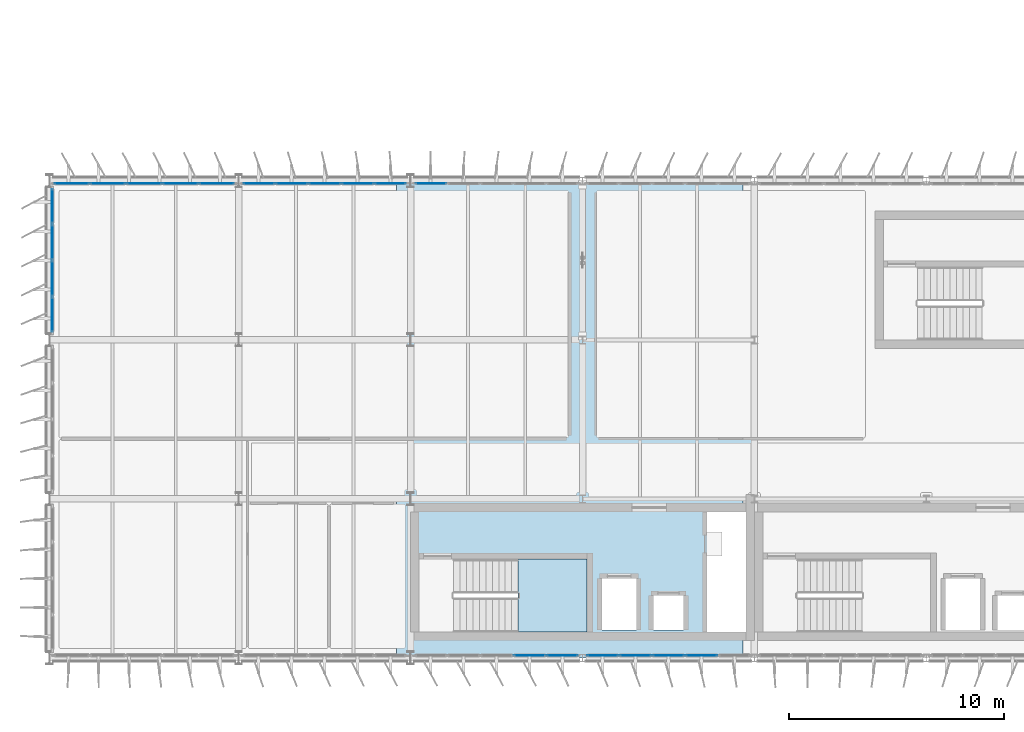
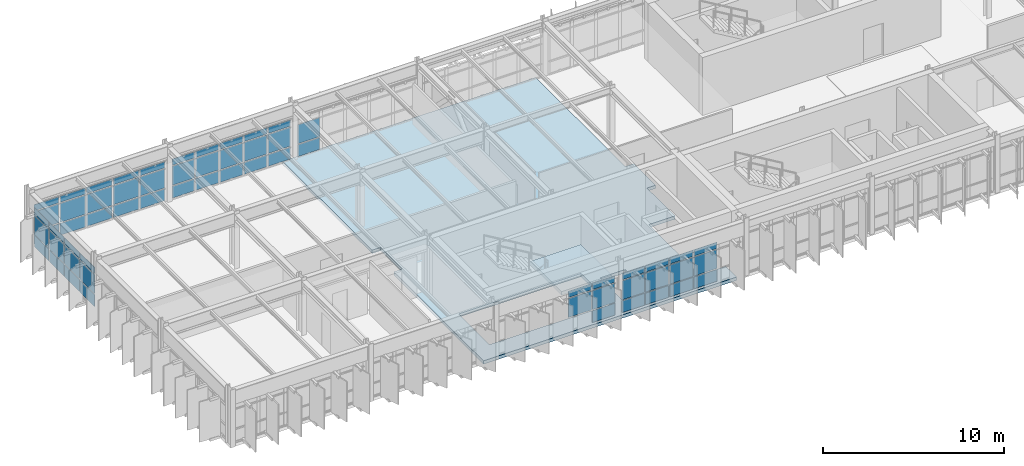
# One storey, part 24 of 45: 61 plates, 2 slabs, 7 elements without a shape of their own.
"""IFC4 building model written with IfcOpenShell, lengths in metres."""

import ifcopenshell
import ifcopenshell.guid

model = None  # the IFC model being written
_history = None  # IfcOwnerHistory: only IFC2X3 demands one
_inside = {}  # id of a spatial element -> (the spatial element, [elements in it])
_under = {}  # id of a project, library or spatial element -> (it, [spatial elements below it])
_declared = {}  # id of a project -> (the project, [libraries it declares])
_typed = {}  # id of a type object -> (the type object, [elements of that type])
_made_of = {}  # id of a material, layer set ... -> (it, [elements and type objects made of it])


def new_model(schema):
    """Start an empty IFC model of exactly this schema.

    Asked for "IFC4X3", IfcOpenShell would pick the latest addendum, in which some entities
    have other attributes; the version numbers below select the first issue.
    IFC2X3 requires an IfcOwnerHistory on every rooted entity: one is made here for all.
    """
    global model, _history
    if schema == "IFC4X3":
        model = ifcopenshell.file(schema_version=(4, 3, 0, 0))
    else:
        model = ifcopenshell.file(schema=schema)
    _inside.clear()
    _under.clear()
    _declared.clear()
    _typed.clear()
    _made_of.clear()
    _history = None
    if model.schema == "IFC2X3":
        org = make("IfcOrganization", Name="unknown")
        user = make(
            "IfcPersonAndOrganization",
            ThePerson=make("IfcPerson", FamilyName="unknown"),
            TheOrganization=org,
        )
        app = make(
            "IfcApplication",
            ApplicationDeveloper=org,
            Version="unknown",
            ApplicationFullName="unknown",
            ApplicationIdentifier="unknown",
        )
        _history = make(
            "IfcOwnerHistory",
            OwningUser=user,
            OwningApplication=app,
            ChangeAction="ADDED",
            CreationDate=0,
        )
    return model


def make(cls, **values):
    """One entity of the class cls with the attributes given. An attribute that is None is left unset."""
    return model.create_entity(
        cls, **{name: value for name, value in values.items() if value is not None}
    )


def rooted(cls, **values):
    """An entity with a GlobalId (a new one), such as an element, a storey or a relation."""
    return make(cls, GlobalId=ifcopenshell.guid.new(), OwnerHistory=_history, **values)


def si_unit(unit_type, name, prefix=None):
    """IfcSIUnit, for example si_unit("LENGTHUNIT", "METRE", prefix="MILLI")."""
    return make("IfcSIUnit", UnitType=unit_type, Prefix=prefix, Name=name)


def assignment(units):
    """IfcUnitAssignment: the units of a project."""
    return None if units is None else make("IfcUnitAssignment", Units=units)


def point(xyz):
    """IfcCartesianPoint."""
    return None if xyz is None else make("IfcCartesianPoint", Coordinates=xyz)


def direction(xyz):
    """IfcDirection."""
    return None if xyz is None else make("IfcDirection", DirectionRatios=xyz)


def frame(location, z_axis=None, x_axis=None):
    """IfcAxis2Placement3D, a coordinate frame: its origin and axes. An axis left out is left unset."""
    return make(
        "IfcAxis2Placement3D",
        Location=point(location),
        Axis=direction(z_axis),
        RefDirection=direction(x_axis),
    )


def frame_2d(location, x_axis=None):
    """IfcAxis2Placement2D, a coordinate frame in the plane: its origin and x axis."""
    return make(
        "IfcAxis2Placement2D", Location=point(location), RefDirection=direction(x_axis)
    )


def origin():
    """The frame at (0, 0, 0) with its axes left unset."""
    return frame((0.0, 0.0, 0.0))


def origin_2d():
    """The frame at (0, 0) in the plane with its x axis left unset."""
    return frame_2d((0.0, 0.0))


def place(relative_to, where):
    """IfcLocalPlacement: puts the frame where relative to a parent placement (None: the world)."""
    return make(
        "IfcLocalPlacement", PlacementRelTo=relative_to, RelativePlacement=where
    )


def context(
    kind, dimensions, precision=None, world=None, true_north=None, identifier=None
):
    """IfcGeometricRepresentationContext, for example the 3D "Model" context."""
    return make(
        "IfcGeometricRepresentationContext",
        ContextIdentifier=identifier,
        ContextType=kind,
        CoordinateSpaceDimension=dimensions,
        Precision=precision,
        WorldCoordinateSystem=world,
        TrueNorth=true_north,
    )


def subcontext(parent, identifier, kind, view, scale=None):
    """IfcGeometricRepresentationSubContext, for example "Body" below "Model"."""
    return make(
        "IfcGeometricRepresentationSubContext",
        ContextIdentifier=identifier,
        ContextType=kind,
        ParentContext=parent,
        TargetScale=scale,
        TargetView=view,
    )


def project(units=None, contexts=None):
    """IfcProject with its units and contexts."""
    return rooted(
        "IfcProject",
        Name="project",
        RepresentationContexts=contexts,
        UnitsInContext=assignment(units),
    )


def spatial(cls, under=None, at=None, **own):
    """A site, building, storey or space (cls), placed at a placement, below another one or the project."""
    s = rooted(cls, ObjectPlacement=at, **own)
    if under is not None:
        _under.setdefault(under.id(), (under, []))[1].append(s)
    return s


def polyline(points):
    """IfcPolyline through the points."""
    return make("IfcPolyline", Points=[point(p) for p in points])


def profile(cls, at=None, kind="AREA", **sizes):
    """A parametric profile (cls). Its sizes go by their IFC names, for example OverallWidth=200.0."""
    return make(cls, ProfileType=kind, Position=at, **sizes)


def rectangle(**sizes):
    """IfcRectangleProfileDef."""
    return profile("IfcRectangleProfileDef", **sizes)


def outline(outer, holes=None, kind="AREA"):
    """IfcArbitraryClosedProfileDef: a profile drawn as a closed curve; with holes, ...WithVoids."""
    if holes is None:
        return make("IfcArbitraryClosedProfileDef", ProfileType=kind, OuterCurve=outer)
    return make(
        "IfcArbitraryProfileDefWithVoids",
        ProfileType=kind,
        OuterCurve=outer,
        InnerCurves=holes,
    )


def extrude(swept, where, along, depth):
    """IfcExtrudedAreaSolid: the profile swept, set in the frame where, extruded along a direction by depth."""
    return make(
        "IfcExtrudedAreaSolid",
        SweptArea=swept,
        Position=where,
        ExtrudedDirection=direction(along),
        Depth=depth,
    )


def shape(context_of_items, identifier, shape_type, items):
    """IfcShapeRepresentation: the items that make up one representation, for example the "Body"."""
    return make(
        "IfcShapeRepresentation",
        ContextOfItems=context_of_items,
        RepresentationIdentifier=identifier,
        RepresentationType=shape_type,
        Items=items,
    )


def material(Name=None, Category=None):
    """IfcMaterial."""
    return make("IfcMaterial", Name=Name, Category=Category)


def layer(
    of_material, thickness, ventilated=None, Name=None, Category=None, Priority=None
):
    """IfcMaterialLayer: one layer of a wall or slab, of a material (None: an air gap)."""
    return make(
        "IfcMaterialLayer",
        Material=of_material,
        LayerThickness=thickness,
        IsVentilated=ventilated,
        Name=Name,
        Category=Category,
        Priority=Priority,
    )


def layer_set(layers, Name=None):
    """IfcMaterialLayerSet."""
    return make("IfcMaterialLayerSet", MaterialLayers=layers, LayerSetName=Name)


def made_of(thing, what):
    """Note that an element or type object is made of a material, layer set ...; save() writes the relation."""
    if what is not None:
        _made_of.setdefault(what.id(), (what, []))[1].append(thing)
    return thing


def type_object(cls, material=None, **own):
    """A type object (cls), such as IfcWallType, which elements share."""
    return made_of(rooted(cls, **own), material)


def element(
    cls,
    number,
    at=None,
    inside=None,
    cuts=None,
    type_object=None,
    material=None,
    context=None,
    identifier="Body",
    shape_type=None,
    held_by="IfcProductDefinitionShape",
    body=None,
    shapes=None,
    **own,
):
    """One element of the class cls, such as IfcWall. Its Tag is "e" and its number.

    at: its placement. inside: the storey or other place that contains it. cuts: it is an
    opening in that element (IfcRelVoidsElement). A single representation is given by context,
    identifier, shape_type and body (its items); several are given by shapes. held_by: the class
    of the entity that holds the representations. save() writes the other relations.
    """
    e = rooted(cls, Tag="e%d" % number, ObjectPlacement=at, **own)
    if body is not None:
        shapes = [shape(context, identifier, shape_type, body)]
    if shapes is not None:
        e.Representation = make(held_by, Representations=shapes)
    if inside is not None:
        _inside.setdefault(inside.id(), (inside, []))[1].append(e)
    if cuts is not None:
        rooted(
            "IfcRelVoidsElement", RelatingBuildingElement=cuts, RelatedOpeningElement=e
        )
    if type_object is not None:
        _typed.setdefault(type_object.id(), (type_object, []))[1].append(e)
    return made_of(e, material)


def aggregate(whole, parts):
    """IfcRelAggregates: a whole, such as a stair, and the parts it consists of."""
    return rooted("IfcRelAggregates", RelatingObject=whole, RelatedObjects=parts)


def save(model, path):
    """Write the relations noted so far, then the file.

    IfcRelAggregates (storeys below a building ...), IfcRelContainedInSpatialStructure (elements
    in a storey), IfcRelDefinesByType, IfcRelAssociatesMaterial and IfcRelDeclares: one each for
    every whole, place, type object, material and project.
    """
    for whole, parts in _under.values():
        aggregate(whole, parts)
    for where, things in _inside.values():
        rooted(
            "IfcRelContainedInSpatialStructure",
            RelatedElements=things,
            RelatingStructure=where,
        )
    for kind, things in _typed.values():
        rooted("IfcRelDefinesByType", RelatedObjects=things, RelatingType=kind)
    for what, things in _made_of.values():
        rooted("IfcRelAssociatesMaterial", RelatedObjects=things, RelatingMaterial=what)
    for by, libraries in _declared.values():
        rooted("IfcRelDeclares", RelatingContext=by, RelatedDefinitions=libraries)
    model.write(path)


model = new_model("IFC4")

# Units and contexts
model_context = context("Model", 3, precision=1e-05, world=origin(), true_north=direction((0.0, 1.0)))
body_context = subcontext(model_context, "Body", "Model", "MODEL_VIEW")
ifc_project = project(units=[si_unit("LENGTHUNIT", "METRE"), si_unit("AREAUNIT", "SQUARE_METRE"), si_unit("VOLUMEUNIT", "CUBIC_METRE"), si_unit("PLANEANGLEUNIT", "RADIAN"), si_unit("MASSUNIT", "GRAM", prefix="KILO")], contexts=[model_context])

# Site, building, storey
site_placement = place(None, origin())
site = spatial("IfcSite", under=ifc_project, at=site_placement, CompositionType="ELEMENT")
building_placement = place(site_placement, origin())
building = spatial("IfcBuilding", under=site, at=building_placement, Name="Valkorina Park Police Headquarters", CompositionType="ELEMENT")
storey_placement = place(building_placement, frame((0.0, 0.0, 23.300048828125)))
storey = spatial("IfcBuildingStorey", under=building, at=storey_placement, Name="L06", CompositionType="ELEMENT", Elevation=23.300048828125)

# Curtain wall, plates
ifc_material_1 = material(Name="Thermally broken aluminium AW-6060", Category="aluminium")
ifc_layer_1 = layer(ifc_material_1, 0.18994140625)
ifc_layer_set_1 = layer_set([ifc_layer_1], Name="Thermally broken aluminium AW-6060")
curtain_wall_type_1 = type_object("IfcCurtainWallType", Name="CW-V5-6780x2770", PredefinedType="NOTDEFINED", material=ifc_layer_set_1)
curtain_wall_1_placement = place(storey_placement, origin())
curtain_wall_1 = element("IfcCurtainWall", 1, at=curtain_wall_1_placement, inside=storey, type_object=curtain_wall_type_1, Name="L06 Unitised Curtain Wall 099", PredefinedType="NOTDEFINED")
ifc_layer_2 = layer(ifc_material_1, 0.050048828125)
ifc_layer_set_2 = layer_set([ifc_layer_2], Name="Thermally broken aluminium AW-6060")
plate_type_1 = type_object("IfcPlateType", Name="PL-CWP-SPANDREL-50", PredefinedType="CURTAIN_PANEL", material=ifc_layer_set_2)
plate_1_placement = place(storey_placement, frame((0.1201171875, 52.97509765625, 0.070068359375), z_axis=(0.0, 0.0, 1.0), x_axis=(0.0, 1.0, 0.0)))
plate_1 = element("IfcPlate", 2, at=plate_1_placement, type_object=plate_type_1, Name="CW-V5-678-277 panel 1.1", PredefinedType="CURTAIN_PANEL", context=body_context, shape_type="SweptSolid", body=[
    extrude(rectangle(XDim=1.590087890625, YDim=0.028076171875, at=origin_2d()), origin(), (0.0, 0.0, 1.0), 0.794921875),
])
plate_2_placement = place(storey_placement, frame((0.1201171875, 54.652587890625, 0.070068359375), z_axis=(0.0, 0.0, 1.0), x_axis=(0.0, 1.0, 0.0)))
plate_2 = element("IfcPlate", 3, at=plate_2_placement, type_object=plate_type_1, Name="CW-V5-678-277 panel 2.1", PredefinedType="CURTAIN_PANEL", context=body_context, shape_type="SweptSolid", body=[
    extrude(rectangle(XDim=1.625, YDim=0.028076171875, at=origin_2d()), origin(), (0.0, 0.0, 1.0), 0.794921875),
])
plate_3_placement = place(storey_placement, frame((0.1201171875, 56.347412109375, 0.070068359375), z_axis=(0.0, 0.0, 1.0), x_axis=(0.0, 1.0, 0.0)))
plate_3 = element("IfcPlate", 4, at=plate_3_placement, type_object=plate_type_1, Name="CW-V5-678-277 panel 3.1", PredefinedType="CURTAIN_PANEL", context=body_context, shape_type="SweptSolid", body=[
    extrude(rectangle(XDim=1.625, YDim=0.028076171875, at=origin_2d()), origin(), (0.0, 0.0, 1.0), 0.794921875),
])
plate_4_placement = place(storey_placement, frame((0.1201171875, 58.02490234375, 0.070068359375), z_axis=(0.0, 0.0, 1.0), x_axis=(0.0, 1.0, 0.0)))
plate_4 = element("IfcPlate", 5, at=plate_4_placement, type_object=plate_type_1, Name="CW-V5-678-277 panel 4.1", PredefinedType="CURTAIN_PANEL", context=body_context, shape_type="SweptSolid", body=[
    extrude(rectangle(XDim=1.590087890625, YDim=0.028076171875, at=origin_2d()), origin(), (0.0, 0.0, 1.0), 0.794921875),
])

ifc_layer_3 = layer(ifc_material_1, 0.18994140625)
ifc_layer_set_3 = layer_set([ifc_layer_3], Name="Thermally broken aluminium AW-6060")
curtain_wall_type_2 = type_object("IfcCurtainWallType", Name="CW-V5-8480x2770", PredefinedType="NOTDEFINED", material=ifc_layer_set_3)
curtain_wall_2_placement = place(storey_placement, origin())
curtain_wall_2 = element("IfcCurtainWall", 6, at=curtain_wall_2_placement, inside=storey, type_object=curtain_wall_type_2, Name="L06 Unitised Curtain Wall 100", PredefinedType="NOTDEFINED")
plate_5_placement = place(storey_placement, frame((1.025390625, 59.080078125, 0.070068359375), z_axis=(0.0, 0.0, 1.0), x_axis=(1.0, 0.0, 0.0)))
plate_5 = element("IfcPlate", 7, at=plate_5_placement, type_object=plate_type_1, Name="CW-V5-848-277 panel 1.1", PredefinedType="CURTAIN_PANEL", context=body_context, shape_type="SweptSolid", body=[
    extrude(rectangle(XDim=1.591064453125, YDim=0.028076171875, at=origin_2d()), origin(), (0.0, 0.0, 1.0), 0.794921875),
])
plate_6_placement = place(storey_placement, frame((2.7041015625, 59.080078125, 0.070068359375), z_axis=(0.0, 0.0, 1.0), x_axis=(1.0, 0.0, 0.0)))
plate_6 = element("IfcPlate", 8, at=plate_6_placement, type_object=plate_type_1, Name="CW-V5-848-277 panel 2.1", PredefinedType="CURTAIN_PANEL", context=body_context, shape_type="SweptSolid", body=[
    extrude(rectangle(XDim=1.6259765625, YDim=0.028076171875, at=origin_2d()), origin(), (0.0, 0.0, 1.0), 0.794921875),
])
plate_7_placement = place(storey_placement, frame((4.39990234375, 59.080078125, 0.070068359375), z_axis=(0.0, 0.0, 1.0), x_axis=(1.0, 0.0, 0.0)))
plate_7 = element("IfcPlate", 9, at=plate_7_placement, type_object=plate_type_1, Name="CW-V5-848-277 panel 3.1", PredefinedType="CURTAIN_PANEL", context=body_context, shape_type="SweptSolid", body=[
    extrude(rectangle(XDim=1.6259765625, YDim=0.028076171875, at=origin_2d()), origin(), (0.0, 0.0, 1.0), 0.794921875),
])
plate_8_placement = place(storey_placement, frame((6.095947265625, 59.080078125, 0.070068359375), z_axis=(0.0, 0.0, 1.0), x_axis=(1.0, 0.0, 0.0)))
plate_8 = element("IfcPlate", 10, at=plate_8_placement, type_object=plate_type_1, Name="CW-V5-848-277 panel 4.1", PredefinedType="CURTAIN_PANEL", context=body_context, shape_type="SweptSolid", body=[
    extrude(rectangle(XDim=1.6259765625, YDim=0.028076171875, at=origin_2d()), origin(), (0.0, 0.0, 1.0), 0.794921875),
])
plate_9_placement = place(storey_placement, frame((7.7744140625, 59.080078125, 0.070068359375), z_axis=(0.0, 0.0, 1.0), x_axis=(1.0, 0.0, 0.0)))
plate_9 = element("IfcPlate", 11, at=plate_9_placement, type_object=plate_type_1, Name="CW-V5-848-277 panel 5.1", PredefinedType="CURTAIN_PANEL", context=body_context, shape_type="SweptSolid", body=[
    extrude(rectangle(XDim=1.591064453125, YDim=0.028076171875, at=origin_2d()), origin(), (0.0, 0.0, 1.0), 0.794921875),
])

ifc_layer_4 = layer(ifc_material_1, 0.18994140625)
ifc_layer_set_4 = layer_set([ifc_layer_4], Name="Thermally broken aluminium AW-6060")
curtain_wall_type_3 = type_object("IfcCurtainWallType", Name="CW-V5-7680x2770", PredefinedType="NOTDEFINED", material=ifc_layer_set_4)
curtain_wall_3_placement = place(storey_placement, origin())
curtain_wall_3 = element("IfcCurtainWall", 12, at=curtain_wall_3_placement, inside=storey, type_object=curtain_wall_type_3, Name="L06 Unitised Curtain Wall 101", PredefinedType="NOTDEFINED")
plate_10_placement = place(storey_placement, frame((9.74560546875, 59.080078125, 0.070068359375), z_axis=(0.0, 0.0, 1.0), x_axis=(1.0, 0.0, 0.0)))
plate_10 = element("IfcPlate", 13, at=plate_10_placement, type_object=plate_type_1, Name="CW-V5-768-277 panel 1.1", PredefinedType="CURTAIN_PANEL", context=body_context, shape_type="SweptSolid", body=[
    extrude(rectangle(XDim=1.430908203125, YDim=0.028076171875, at=origin_2d()), origin(), (0.0, 0.0, 1.0), 0.794921875),
])
plate_11_placement = place(storey_placement, frame((11.263916015625, 59.080078125, 0.070068359375), z_axis=(0.0, 0.0, 1.0), x_axis=(1.0, 0.0, 0.0)))
plate_11 = element("IfcPlate", 14, at=plate_11_placement, type_object=plate_type_1, Name="CW-V5-768-277 panel 2.1", PredefinedType="CURTAIN_PANEL", context=body_context, shape_type="SweptSolid", body=[
    extrude(rectangle(XDim=1.466064453125, YDim=0.028076171875, at=origin_2d()), origin(), (0.0, 0.0, 1.0), 0.794921875),
])
plate_12_placement = place(storey_placement, frame((12.800048828125, 59.080078125, 0.070068359375), z_axis=(0.0, 0.0, 1.0), x_axis=(1.0, 0.0, 0.0)))
plate_12 = element("IfcPlate", 15, at=plate_12_placement, type_object=plate_type_1, Name="CW-V5-768-277 panel 3.1", PredefinedType="CURTAIN_PANEL", context=body_context, shape_type="SweptSolid", body=[
    extrude(rectangle(XDim=1.466064453125, YDim=0.028076171875, at=origin_2d()), origin(), (0.0, 0.0, 1.0), 0.794921875),
])
plate_13_placement = place(storey_placement, frame((14.3359375, 59.080078125, 0.070068359375), z_axis=(0.0, 0.0, 1.0), x_axis=(1.0, 0.0, 0.0)))
plate_13 = element("IfcPlate", 16, at=plate_13_placement, type_object=plate_type_1, Name="CW-V5-768-277 panel 4.1", PredefinedType="CURTAIN_PANEL", context=body_context, shape_type="SweptSolid", body=[
    extrude(rectangle(XDim=1.466064453125, YDim=0.028076171875, at=origin_2d()), origin(), (0.0, 0.0, 1.0), 0.794921875),
])
plate_14_placement = place(storey_placement, frame((15.8544921875, 59.080078125, 0.070068359375), z_axis=(0.0, 0.0, 1.0), x_axis=(1.0, 0.0, 0.0)))
plate_14 = element("IfcPlate", 17, at=plate_14_placement, type_object=plate_type_1, Name="CW-V5-768-277 panel 5.1", PredefinedType="CURTAIN_PANEL", context=body_context, shape_type="SweptSolid", body=[
    extrude(rectangle(XDim=1.430908203125, YDim=0.028076171875, at=origin_2d()), origin(), (0.0, 0.0, 1.0), 0.794921875),
])

# Curtain wall, plate
curtain_wall_4_placement = place(storey_placement, origin())
curtain_wall_4 = element("IfcCurtainWall", 18, at=curtain_wall_4_placement, inside=storey, type_object=curtain_wall_type_3, Name="L06 Unitised Curtain Wall 102", PredefinedType="NOTDEFINED")
plate_15_placement = place(storey_placement, frame((17.74560546875, 59.080078125, 0.070068359375), z_axis=(0.0, 0.0, 1.0), x_axis=(1.0, 0.0, 0.0)))
plate_15 = element("IfcPlate", 19, at=plate_15_placement, type_object=plate_type_1, Name="CW-V5-768-277 panel 1.1", PredefinedType="CURTAIN_PANEL", context=body_context, shape_type="SweptSolid", body=[
    extrude(rectangle(XDim=1.430908203125, YDim=0.028076171875, at=origin_2d()), origin(), (0.0, 0.0, 1.0), 0.794921875),
])

# Curtain wall, plates
curtain_wall_5_placement = place(storey_placement, origin())
curtain_wall_5 = element("IfcCurtainWall", 20, at=curtain_wall_5_placement, inside=storey, type_object=curtain_wall_type_3, Name="L06 Unitised Curtain Wall 129", PredefinedType="NOTDEFINED")
plate_16_placement = place(storey_placement, frame((30.3359375, 37.1201171875, 0.070068359375), z_axis=(0.0, 0.0, 1.0), x_axis=(-1.0, 0.0, 0.0)))
plate_16 = element("IfcPlate", 21, at=plate_16_placement, type_object=plate_type_1, Name="CW-V5-768-277 panel 2.1", PredefinedType="CURTAIN_PANEL", context=body_context, shape_type="SweptSolid", body=[
    extrude(rectangle(XDim=1.466064453125, YDim=0.028076171875, at=origin_2d()), origin(), (0.0, 0.0, 1.0), 0.794921875),
])
plate_17_placement = place(storey_placement, frame((28.800048828125, 37.1201171875, 0.070068359375), z_axis=(0.0, 0.0, 1.0), x_axis=(-1.0, 0.0, 0.0)))
plate_17 = element("IfcPlate", 22, at=plate_17_placement, type_object=plate_type_1, Name="CW-V5-768-277 panel 3.1", PredefinedType="CURTAIN_PANEL", context=body_context, shape_type="SweptSolid", body=[
    extrude(rectangle(XDim=1.466064453125, YDim=0.028076171875, at=origin_2d()), origin(), (0.0, 0.0, 1.0), 0.794921875),
])
plate_18_placement = place(storey_placement, frame((27.263916015625, 37.1201171875, 0.070068359375), z_axis=(0.0, 0.0, 1.0), x_axis=(-1.0, 0.0, 0.0)))
plate_18 = element("IfcPlate", 23, at=plate_18_placement, type_object=plate_type_1, Name="CW-V5-768-277 panel 4.1", PredefinedType="CURTAIN_PANEL", context=body_context, shape_type="SweptSolid", body=[
    extrude(rectangle(XDim=1.466064453125, YDim=0.028076171875, at=origin_2d()), origin(), (0.0, 0.0, 1.0), 0.794921875),
])
plate_19_placement = place(storey_placement, frame((25.74560546875, 37.1201171875, 0.070068359375), z_axis=(0.0, 0.0, 1.0), x_axis=(-1.0, 0.0, 0.0)))
plate_19 = element("IfcPlate", 24, at=plate_19_placement, type_object=plate_type_1, Name="CW-V5-768-277 panel 5.1", PredefinedType="CURTAIN_PANEL", context=body_context, shape_type="SweptSolid", body=[
    extrude(rectangle(XDim=1.430908203125, YDim=0.028076171875, at=origin_2d()), origin(), (0.0, 0.0, 1.0), 0.794921875),
])

# Curtain wall, plate
curtain_wall_6_placement = place(storey_placement, origin())
curtain_wall_6 = element("IfcCurtainWall", 25, at=curtain_wall_6_placement, inside=storey, type_object=curtain_wall_type_3, Name="L06 Unitised Curtain Wall 130", PredefinedType="NOTDEFINED")
plate_20_placement = place(storey_placement, frame((23.8544921875, 37.1201171875, 0.070068359375), z_axis=(0.0, 0.0, 1.0), x_axis=(-1.0, 0.0, 0.0)))
plate_20 = element("IfcPlate", 26, at=plate_20_placement, type_object=plate_type_1, Name="CW-V5-768-277 panel 1.1", PredefinedType="CURTAIN_PANEL", context=body_context, shape_type="SweptSolid", body=[
    extrude(rectangle(XDim=1.430908203125, YDim=0.028076171875, at=origin_2d()), origin(), (0.0, 0.0, 1.0), 0.794921875),
])

# Plate
ifc_material_2 = material(Name="Triple low-E insulated glazing", Category="glass")
ifc_layer_5 = layer(ifc_material_2, 0.028076171875)
ifc_layer_set_5 = layer_set([ifc_layer_5], Name="Triple low-E insulated glazing")
plate_type_2 = type_object("IfcPlateType", Name="PL-CWP-VISION-28", PredefinedType="CURTAIN_PANEL", material=ifc_layer_set_5)
plate_21_placement = place(storey_placement, frame((0.1201171875, 52.97509765625, 0.93505859375), z_axis=(0.0, 0.0, 1.0), x_axis=(0.0, 1.0, 0.0)))
plate_21 = element("IfcPlate", 27, at=plate_21_placement, type_object=plate_type_2, Name="CW-V5-678-277 panel 1.2", PredefinedType="CURTAIN_PANEL", context=body_context, shape_type="SweptSolid", body=[
    extrude(rectangle(XDim=1.590087890625, YDim=0.028076171875, at=origin_2d()), origin(), (0.0, 0.0, 1.0), 1.280029296875),
])

plate_22_placement = place(storey_placement, frame((0.1201171875, 52.97509765625, 2.284912109375), z_axis=(0.0, 0.0, 1.0), x_axis=(0.0, 1.0, 0.0)))
plate_22 = element("IfcPlate", 28, at=plate_22_placement, type_object=plate_type_2, Name="CW-V5-678-277 panel 1.3", PredefinedType="CURTAIN_PANEL", context=body_context, shape_type="SweptSolid", body=[
    extrude(rectangle(XDim=1.590087890625, YDim=0.028076171875, at=origin_2d()), origin(), (0.0, 0.0, 1.0), 0.4150390625),
])

plate_23_placement = place(storey_placement, frame((0.1201171875, 54.652587890625, 0.93505859375), z_axis=(0.0, 0.0, 1.0), x_axis=(0.0, 1.0, 0.0)))
plate_23 = element("IfcPlate", 29, at=plate_23_placement, type_object=plate_type_2, Name="CW-V5-678-277 panel 2.2", PredefinedType="CURTAIN_PANEL", context=body_context, shape_type="SweptSolid", body=[
    extrude(rectangle(XDim=1.625, YDim=0.028076171875, at=origin_2d()), origin(), (0.0, 0.0, 1.0), 1.280029296875),
])

plate_24_placement = place(storey_placement, frame((0.1201171875, 54.652587890625, 2.284912109375), z_axis=(0.0, 0.0, 1.0), x_axis=(0.0, 1.0, 0.0)))
plate_24 = element("IfcPlate", 30, at=plate_24_placement, type_object=plate_type_2, Name="CW-V5-678-277 panel 2.3", PredefinedType="CURTAIN_PANEL", context=body_context, shape_type="SweptSolid", body=[
    extrude(rectangle(XDim=1.625, YDim=0.028076171875, at=origin_2d()), origin(), (0.0, 0.0, 1.0), 0.4150390625),
])

plate_25_placement = place(storey_placement, frame((0.1201171875, 56.347412109375, 0.93505859375), z_axis=(0.0, 0.0, 1.0), x_axis=(0.0, 1.0, 0.0)))
plate_25 = element("IfcPlate", 31, at=plate_25_placement, type_object=plate_type_2, Name="CW-V5-678-277 panel 3.2", PredefinedType="CURTAIN_PANEL", context=body_context, shape_type="SweptSolid", body=[
    extrude(rectangle(XDim=1.625, YDim=0.028076171875, at=origin_2d()), origin(), (0.0, 0.0, 1.0), 1.280029296875),
])

plate_26_placement = place(storey_placement, frame((0.1201171875, 56.347412109375, 2.284912109375), z_axis=(0.0, 0.0, 1.0), x_axis=(0.0, 1.0, 0.0)))
plate_26 = element("IfcPlate", 32, at=plate_26_placement, type_object=plate_type_2, Name="CW-V5-678-277 panel 3.3", PredefinedType="CURTAIN_PANEL", context=body_context, shape_type="SweptSolid", body=[
    extrude(rectangle(XDim=1.625, YDim=0.028076171875, at=origin_2d()), origin(), (0.0, 0.0, 1.0), 0.4150390625),
])

plate_27_placement = place(storey_placement, frame((0.1201171875, 58.02490234375, 0.93505859375), z_axis=(0.0, 0.0, 1.0), x_axis=(0.0, 1.0, 0.0)))
plate_27 = element("IfcPlate", 33, at=plate_27_placement, type_object=plate_type_2, Name="CW-V5-678-277 panel 4.2", PredefinedType="CURTAIN_PANEL", context=body_context, shape_type="SweptSolid", body=[
    extrude(rectangle(XDim=1.590087890625, YDim=0.028076171875, at=origin_2d()), origin(), (0.0, 0.0, 1.0), 1.280029296875),
])

plate_28_placement = place(storey_placement, frame((0.1201171875, 58.02490234375, 2.284912109375), z_axis=(0.0, 0.0, 1.0), x_axis=(0.0, 1.0, 0.0)))
plate_28 = element("IfcPlate", 34, at=plate_28_placement, type_object=plate_type_2, Name="CW-V5-678-277 panel 4.3", PredefinedType="CURTAIN_PANEL", context=body_context, shape_type="SweptSolid", body=[
    extrude(rectangle(XDim=1.590087890625, YDim=0.028076171875, at=origin_2d()), origin(), (0.0, 0.0, 1.0), 0.4150390625),
])

aggregate(curtain_wall_1, [plate_1, plate_21, plate_22, plate_2, plate_23, plate_24, plate_3, plate_25, plate_26, plate_4, plate_27, plate_28])

plate_29_placement = place(storey_placement, frame((1.025390625, 59.080078125, 0.93505859375), z_axis=(0.0, 0.0, 1.0), x_axis=(1.0, 0.0, 0.0)))
plate_29 = element("IfcPlate", 35, at=plate_29_placement, type_object=plate_type_2, Name="CW-V5-848-277 panel 1.2", PredefinedType="CURTAIN_PANEL", context=body_context, shape_type="SweptSolid", body=[
    extrude(rectangle(XDim=1.591064453125, YDim=0.028076171875, at=origin_2d()), origin(), (0.0, 0.0, 1.0), 1.280029296875),
])

plate_30_placement = place(storey_placement, frame((1.025390625, 59.080078125, 2.284912109375), z_axis=(0.0, 0.0, 1.0), x_axis=(1.0, 0.0, 0.0)))
plate_30 = element("IfcPlate", 36, at=plate_30_placement, type_object=plate_type_2, Name="CW-V5-848-277 panel 1.3", PredefinedType="CURTAIN_PANEL", context=body_context, shape_type="SweptSolid", body=[
    extrude(rectangle(XDim=1.591064453125, YDim=0.028076171875, at=origin_2d()), origin(), (0.0, 0.0, 1.0), 0.4150390625),
])

plate_31_placement = place(storey_placement, frame((2.7041015625, 59.080078125, 0.93505859375), z_axis=(0.0, 0.0, 1.0), x_axis=(1.0, 0.0, 0.0)))
plate_31 = element("IfcPlate", 37, at=plate_31_placement, type_object=plate_type_2, Name="CW-V5-848-277 panel 2.2", PredefinedType="CURTAIN_PANEL", context=body_context, shape_type="SweptSolid", body=[
    extrude(rectangle(XDim=1.6259765625, YDim=0.028076171875, at=origin_2d()), origin(), (0.0, 0.0, 1.0), 1.280029296875),
])

plate_32_placement = place(storey_placement, frame((2.7041015625, 59.080078125, 2.284912109375), z_axis=(0.0, 0.0, 1.0), x_axis=(1.0, 0.0, 0.0)))
plate_32 = element("IfcPlate", 38, at=plate_32_placement, type_object=plate_type_2, Name="CW-V5-848-277 panel 2.3", PredefinedType="CURTAIN_PANEL", context=body_context, shape_type="SweptSolid", body=[
    extrude(rectangle(XDim=1.6259765625, YDim=0.028076171875, at=origin_2d()), origin(), (0.0, 0.0, 1.0), 0.4150390625),
])

plate_33_placement = place(storey_placement, frame((4.39990234375, 59.080078125, 0.93505859375), z_axis=(0.0, 0.0, 1.0), x_axis=(1.0, 0.0, 0.0)))
plate_33 = element("IfcPlate", 39, at=plate_33_placement, type_object=plate_type_2, Name="CW-V5-848-277 panel 3.2", PredefinedType="CURTAIN_PANEL", context=body_context, shape_type="SweptSolid", body=[
    extrude(rectangle(XDim=1.6259765625, YDim=0.028076171875, at=origin_2d()), origin(), (0.0, 0.0, 1.0), 1.280029296875),
])

plate_34_placement = place(storey_placement, frame((4.39990234375, 59.080078125, 2.284912109375), z_axis=(0.0, 0.0, 1.0), x_axis=(1.0, 0.0, 0.0)))
plate_34 = element("IfcPlate", 40, at=plate_34_placement, type_object=plate_type_2, Name="CW-V5-848-277 panel 3.3", PredefinedType="CURTAIN_PANEL", context=body_context, shape_type="SweptSolid", body=[
    extrude(rectangle(XDim=1.6259765625, YDim=0.028076171875, at=origin_2d()), origin(), (0.0, 0.0, 1.0), 0.4150390625),
])

plate_35_placement = place(storey_placement, frame((6.095947265625, 59.080078125, 0.93505859375), z_axis=(0.0, 0.0, 1.0), x_axis=(1.0, 0.0, 0.0)))
plate_35 = element("IfcPlate", 41, at=plate_35_placement, type_object=plate_type_2, Name="CW-V5-848-277 panel 4.2", PredefinedType="CURTAIN_PANEL", context=body_context, shape_type="SweptSolid", body=[
    extrude(rectangle(XDim=1.6259765625, YDim=0.028076171875, at=origin_2d()), origin(), (0.0, 0.0, 1.0), 1.280029296875),
])

plate_36_placement = place(storey_placement, frame((6.095947265625, 59.080078125, 2.284912109375), z_axis=(0.0, 0.0, 1.0), x_axis=(1.0, 0.0, 0.0)))
plate_36 = element("IfcPlate", 42, at=plate_36_placement, type_object=plate_type_2, Name="CW-V5-848-277 panel 4.3", PredefinedType="CURTAIN_PANEL", context=body_context, shape_type="SweptSolid", body=[
    extrude(rectangle(XDim=1.6259765625, YDim=0.028076171875, at=origin_2d()), origin(), (0.0, 0.0, 1.0), 0.4150390625),
])

plate_37_placement = place(storey_placement, frame((7.7744140625, 59.080078125, 0.93505859375), z_axis=(0.0, 0.0, 1.0), x_axis=(1.0, 0.0, 0.0)))
plate_37 = element("IfcPlate", 43, at=plate_37_placement, type_object=plate_type_2, Name="CW-V5-848-277 panel 5.2", PredefinedType="CURTAIN_PANEL", context=body_context, shape_type="SweptSolid", body=[
    extrude(rectangle(XDim=1.591064453125, YDim=0.028076171875, at=origin_2d()), origin(), (0.0, 0.0, 1.0), 1.280029296875),
])

plate_38_placement = place(storey_placement, frame((7.7744140625, 59.080078125, 2.284912109375), z_axis=(0.0, 0.0, 1.0), x_axis=(1.0, 0.0, 0.0)))
plate_38 = element("IfcPlate", 44, at=plate_38_placement, type_object=plate_type_2, Name="CW-V5-848-277 panel 5.3", PredefinedType="CURTAIN_PANEL", context=body_context, shape_type="SweptSolid", body=[
    extrude(rectangle(XDim=1.591064453125, YDim=0.028076171875, at=origin_2d()), origin(), (0.0, 0.0, 1.0), 0.4150390625),
])

aggregate(curtain_wall_2, [plate_5, plate_29, plate_30, plate_6, plate_31, plate_32, plate_7, plate_33, plate_34, plate_8, plate_35, plate_36, plate_9, plate_37, plate_38])

plate_39_placement = place(storey_placement, frame((9.74560546875, 59.080078125, 0.93505859375), z_axis=(0.0, 0.0, 1.0), x_axis=(1.0, 0.0, 0.0)))
plate_39 = element("IfcPlate", 45, at=plate_39_placement, type_object=plate_type_2, Name="CW-V5-768-277 panel 1.2", PredefinedType="CURTAIN_PANEL", context=body_context, shape_type="SweptSolid", body=[
    extrude(rectangle(XDim=1.430908203125, YDim=0.028076171875, at=origin_2d()), origin(), (0.0, 0.0, 1.0), 1.280029296875),
])

plate_40_placement = place(storey_placement, frame((9.74560546875, 59.080078125, 2.284912109375), z_axis=(0.0, 0.0, 1.0), x_axis=(1.0, 0.0, 0.0)))
plate_40 = element("IfcPlate", 46, at=plate_40_placement, type_object=plate_type_2, Name="CW-V5-768-277 panel 1.3", PredefinedType="CURTAIN_PANEL", context=body_context, shape_type="SweptSolid", body=[
    extrude(rectangle(XDim=1.430908203125, YDim=0.028076171875, at=origin_2d()), origin(), (0.0, 0.0, 1.0), 0.4150390625),
])

plate_41_placement = place(storey_placement, frame((11.263916015625, 59.080078125, 0.93505859375), z_axis=(0.0, 0.0, 1.0), x_axis=(1.0, 0.0, 0.0)))
plate_41 = element("IfcPlate", 47, at=plate_41_placement, type_object=plate_type_2, Name="CW-V5-768-277 panel 2.2", PredefinedType="CURTAIN_PANEL", context=body_context, shape_type="SweptSolid", body=[
    extrude(rectangle(XDim=1.466064453125, YDim=0.028076171875, at=origin_2d()), origin(), (0.0, 0.0, 1.0), 1.280029296875),
])

plate_42_placement = place(storey_placement, frame((11.263916015625, 59.080078125, 2.284912109375), z_axis=(0.0, 0.0, 1.0), x_axis=(1.0, 0.0, 0.0)))
plate_42 = element("IfcPlate", 48, at=plate_42_placement, type_object=plate_type_2, Name="CW-V5-768-277 panel 2.3", PredefinedType="CURTAIN_PANEL", context=body_context, shape_type="SweptSolid", body=[
    extrude(rectangle(XDim=1.466064453125, YDim=0.028076171875, at=origin_2d()), origin(), (0.0, 0.0, 1.0), 0.4150390625),
])

plate_43_placement = place(storey_placement, frame((12.800048828125, 59.080078125, 0.93505859375), z_axis=(0.0, 0.0, 1.0), x_axis=(1.0, 0.0, 0.0)))
plate_43 = element("IfcPlate", 49, at=plate_43_placement, type_object=plate_type_2, Name="CW-V5-768-277 panel 3.2", PredefinedType="CURTAIN_PANEL", context=body_context, shape_type="SweptSolid", body=[
    extrude(rectangle(XDim=1.466064453125, YDim=0.028076171875, at=origin_2d()), origin(), (0.0, 0.0, 1.0), 1.280029296875),
])

plate_44_placement = place(storey_placement, frame((12.800048828125, 59.080078125, 2.284912109375), z_axis=(0.0, 0.0, 1.0), x_axis=(1.0, 0.0, 0.0)))
plate_44 = element("IfcPlate", 50, at=plate_44_placement, type_object=plate_type_2, Name="CW-V5-768-277 panel 3.3", PredefinedType="CURTAIN_PANEL", context=body_context, shape_type="SweptSolid", body=[
    extrude(rectangle(XDim=1.466064453125, YDim=0.028076171875, at=origin_2d()), origin(), (0.0, 0.0, 1.0), 0.4150390625),
])

plate_45_placement = place(storey_placement, frame((14.3359375, 59.080078125, 0.93505859375), z_axis=(0.0, 0.0, 1.0), x_axis=(1.0, 0.0, 0.0)))
plate_45 = element("IfcPlate", 51, at=plate_45_placement, type_object=plate_type_2, Name="CW-V5-768-277 panel 4.2", PredefinedType="CURTAIN_PANEL", context=body_context, shape_type="SweptSolid", body=[
    extrude(rectangle(XDim=1.466064453125, YDim=0.028076171875, at=origin_2d()), origin(), (0.0, 0.0, 1.0), 1.280029296875),
])

plate_46_placement = place(storey_placement, frame((14.3359375, 59.080078125, 2.284912109375), z_axis=(0.0, 0.0, 1.0), x_axis=(1.0, 0.0, 0.0)))
plate_46 = element("IfcPlate", 52, at=plate_46_placement, type_object=plate_type_2, Name="CW-V5-768-277 panel 4.3", PredefinedType="CURTAIN_PANEL", context=body_context, shape_type="SweptSolid", body=[
    extrude(rectangle(XDim=1.466064453125, YDim=0.028076171875, at=origin_2d()), origin(), (0.0, 0.0, 1.0), 0.4150390625),
])

plate_47_placement = place(storey_placement, frame((15.8544921875, 59.080078125, 0.93505859375), z_axis=(0.0, 0.0, 1.0), x_axis=(1.0, 0.0, 0.0)))
plate_47 = element("IfcPlate", 53, at=plate_47_placement, type_object=plate_type_2, Name="CW-V5-768-277 panel 5.2", PredefinedType="CURTAIN_PANEL", context=body_context, shape_type="SweptSolid", body=[
    extrude(rectangle(XDim=1.430908203125, YDim=0.028076171875, at=origin_2d()), origin(), (0.0, 0.0, 1.0), 1.280029296875),
])

plate_48_placement = place(storey_placement, frame((15.8544921875, 59.080078125, 2.284912109375), z_axis=(0.0, 0.0, 1.0), x_axis=(1.0, 0.0, 0.0)))
plate_48 = element("IfcPlate", 54, at=plate_48_placement, type_object=plate_type_2, Name="CW-V5-768-277 panel 5.3", PredefinedType="CURTAIN_PANEL", context=body_context, shape_type="SweptSolid", body=[
    extrude(rectangle(XDim=1.430908203125, YDim=0.028076171875, at=origin_2d()), origin(), (0.0, 0.0, 1.0), 0.4150390625),
])

aggregate(curtain_wall_3, [plate_10, plate_39, plate_40, plate_11, plate_41, plate_42, plate_12, plate_43, plate_44, plate_13, plate_45, plate_46, plate_14, plate_47, plate_48])

plate_49_placement = place(storey_placement, frame((17.74560546875, 59.080078125, 0.93505859375), z_axis=(0.0, 0.0, 1.0), x_axis=(1.0, 0.0, 0.0)))
plate_49 = element("IfcPlate", 55, at=plate_49_placement, type_object=plate_type_2, Name="CW-V5-768-277 panel 1.2", PredefinedType="CURTAIN_PANEL", context=body_context, shape_type="SweptSolid", body=[
    extrude(rectangle(XDim=1.430908203125, YDim=0.028076171875, at=origin_2d()), origin(), (0.0, 0.0, 1.0), 1.280029296875),
])

aggregate(curtain_wall_4, [plate_15, plate_49])

plate_50_placement = place(storey_placement, frame((30.3359375, 37.1201171875, 0.93505859375), z_axis=(0.0, 0.0, 1.0), x_axis=(-1.0, 0.0, 0.0)))
plate_50 = element("IfcPlate", 56, at=plate_50_placement, type_object=plate_type_2, Name="CW-V5-768-277 panel 2.2", PredefinedType="CURTAIN_PANEL", context=body_context, shape_type="SweptSolid", body=[
    extrude(rectangle(XDim=1.466064453125, YDim=0.028076171875, at=origin_2d()), origin(), (0.0, 0.0, 1.0), 1.280029296875),
])

plate_51_placement = place(storey_placement, frame((30.3359375, 37.1201171875, 2.284912109375), z_axis=(0.0, 0.0, 1.0), x_axis=(-1.0, 0.0, 0.0)))
plate_51 = element("IfcPlate", 57, at=plate_51_placement, type_object=plate_type_2, Name="CW-V5-768-277 panel 2.3", PredefinedType="CURTAIN_PANEL", context=body_context, shape_type="SweptSolid", body=[
    extrude(rectangle(XDim=1.466064453125, YDim=0.028076171875, at=origin_2d()), origin(), (0.0, 0.0, 1.0), 0.4150390625),
])

plate_52_placement = place(storey_placement, frame((28.800048828125, 37.1201171875, 0.93505859375), z_axis=(0.0, 0.0, 1.0), x_axis=(-1.0, 0.0, 0.0)))
plate_52 = element("IfcPlate", 58, at=plate_52_placement, type_object=plate_type_2, Name="CW-V5-768-277 panel 3.2", PredefinedType="CURTAIN_PANEL", context=body_context, shape_type="SweptSolid", body=[
    extrude(rectangle(XDim=1.466064453125, YDim=0.028076171875, at=origin_2d()), origin(), (0.0, 0.0, 1.0), 1.280029296875),
])

plate_53_placement = place(storey_placement, frame((28.800048828125, 37.1201171875, 2.284912109375), z_axis=(0.0, 0.0, 1.0), x_axis=(-1.0, 0.0, 0.0)))
plate_53 = element("IfcPlate", 59, at=plate_53_placement, type_object=plate_type_2, Name="CW-V5-768-277 panel 3.3", PredefinedType="CURTAIN_PANEL", context=body_context, shape_type="SweptSolid", body=[
    extrude(rectangle(XDim=1.466064453125, YDim=0.028076171875, at=origin_2d()), origin(), (0.0, 0.0, 1.0), 0.4150390625),
])

plate_54_placement = place(storey_placement, frame((27.263916015625, 37.1201171875, 0.93505859375), z_axis=(0.0, 0.0, 1.0), x_axis=(-1.0, 0.0, 0.0)))
plate_54 = element("IfcPlate", 60, at=plate_54_placement, type_object=plate_type_2, Name="CW-V5-768-277 panel 4.2", PredefinedType="CURTAIN_PANEL", context=body_context, shape_type="SweptSolid", body=[
    extrude(rectangle(XDim=1.466064453125, YDim=0.028076171875, at=origin_2d()), origin(), (0.0, 0.0, 1.0), 1.280029296875),
])

plate_55_placement = place(storey_placement, frame((27.263916015625, 37.1201171875, 2.284912109375), z_axis=(0.0, 0.0, 1.0), x_axis=(-1.0, 0.0, 0.0)))
plate_55 = element("IfcPlate", 61, at=plate_55_placement, type_object=plate_type_2, Name="CW-V5-768-277 panel 4.3", PredefinedType="CURTAIN_PANEL", context=body_context, shape_type="SweptSolid", body=[
    extrude(rectangle(XDim=1.466064453125, YDim=0.028076171875, at=origin_2d()), origin(), (0.0, 0.0, 1.0), 0.4150390625),
])

plate_56_placement = place(storey_placement, frame((25.74560546875, 37.1201171875, 0.93505859375), z_axis=(0.0, 0.0, 1.0), x_axis=(-1.0, 0.0, 0.0)))
plate_56 = element("IfcPlate", 62, at=plate_56_placement, type_object=plate_type_2, Name="CW-V5-768-277 panel 5.2", PredefinedType="CURTAIN_PANEL", context=body_context, shape_type="SweptSolid", body=[
    extrude(rectangle(XDim=1.430908203125, YDim=0.028076171875, at=origin_2d()), origin(), (0.0, 0.0, 1.0), 1.280029296875),
])

plate_57_placement = place(storey_placement, frame((25.74560546875, 37.1201171875, 2.284912109375), z_axis=(0.0, 0.0, 1.0), x_axis=(-1.0, 0.0, 0.0)))
plate_57 = element("IfcPlate", 63, at=plate_57_placement, type_object=plate_type_2, Name="CW-V5-768-277 panel 5.3", PredefinedType="CURTAIN_PANEL", context=body_context, shape_type="SweptSolid", body=[
    extrude(rectangle(XDim=1.430908203125, YDim=0.028076171875, at=origin_2d()), origin(), (0.0, 0.0, 1.0), 0.4150390625),
])

aggregate(curtain_wall_5, [plate_16, plate_50, plate_51, plate_17, plate_52, plate_53, plate_18, plate_54, plate_55, plate_19, plate_56, plate_57])

plate_58_placement = place(storey_placement, frame((23.8544921875, 37.1201171875, 0.93505859375), z_axis=(0.0, 0.0, 1.0), x_axis=(-1.0, 0.0, 0.0)))
plate_58 = element("IfcPlate", 64, at=plate_58_placement, type_object=plate_type_2, Name="CW-V5-768-277 panel 1.2", PredefinedType="CURTAIN_PANEL", context=body_context, shape_type="SweptSolid", body=[
    extrude(rectangle(XDim=1.430908203125, YDim=0.028076171875, at=origin_2d()), origin(), (0.0, 0.0, 1.0), 1.280029296875),
])

plate_59_placement = place(storey_placement, frame((23.8544921875, 37.1201171875, 2.284912109375), z_axis=(0.0, 0.0, 1.0), x_axis=(-1.0, 0.0, 0.0)))
plate_59 = element("IfcPlate", 65, at=plate_59_placement, type_object=plate_type_2, Name="CW-V5-768-277 panel 1.3", PredefinedType="CURTAIN_PANEL", context=body_context, shape_type="SweptSolid", body=[
    extrude(rectangle(XDim=1.430908203125, YDim=0.028076171875, at=origin_2d()), origin(), (0.0, 0.0, 1.0), 0.4150390625),
])

plate_60_placement = place(storey_placement, frame((22.3359375, 37.1201171875, 0.93505859375), z_axis=(0.0, 0.0, 1.0), x_axis=(-1.0, 0.0, 0.0)))
plate_60 = element("IfcPlate", 66, at=plate_60_placement, type_object=plate_type_2, Name="CW-V5-768-277 panel 2.2", PredefinedType="CURTAIN_PANEL", context=body_context, shape_type="SweptSolid", body=[
    extrude(rectangle(XDim=1.466064453125, YDim=0.028076171875, at=origin_2d()), origin(), (0.0, 0.0, 1.0), 1.280029296875),
])

plate_61_placement = place(storey_placement, frame((22.3359375, 37.1201171875, 2.284912109375), z_axis=(0.0, 0.0, 1.0), x_axis=(-1.0, 0.0, 0.0)))
plate_61 = element("IfcPlate", 67, at=plate_61_placement, type_object=plate_type_2, Name="CW-V5-768-277 panel 2.3", PredefinedType="CURTAIN_PANEL", context=body_context, shape_type="SweptSolid", body=[
    extrude(rectangle(XDim=1.466064453125, YDim=0.028076171875, at=origin_2d()), origin(), (0.0, 0.0, 1.0), 0.4150390625),
])

aggregate(curtain_wall_6, [plate_20, plate_58, plate_59, plate_60, plate_61])

# Slab
ifc_material_3 = material(Name="Concrete C35/45", Category="concrete")
ifc_layer_6 = layer(ifc_material_3, 0.219970703125)
ifc_layer_set_6 = layer_set([ifc_layer_6], Name="Concrete C35/45")
slab_type_1 = type_object("IfcSlabType", Name="SL-COMP-OFF-150", PredefinedType="FLOOR", material=ifc_layer_set_6)
slab_1_placement = place(storey_placement, frame((0.0, 0.0, -0.219970703125)))
element("IfcSlab", 68, at=slab_1_placement, inside=storey, type_object=slab_type_1, Name="L06 Structural Floor Slab 100", PredefinedType="FLOOR", context=body_context, shape_type="SweptSolid", body=[
    extrude(outline(polyline([(32.816650390625, 49.2958984375), (32.2666015625, 49.2958984375), (32.2666015625, 59.19189453125), (16.13330078125, 59.19189453125), (16.13330078125, 49.2958984375), (16.683349609375, 49.2958984375), (16.683349609375, 46.89599609375), (16.13330078125, 46.89599609375), (16.13330078125, 37.0), (32.2666015625, 37.0), (32.2666015625, 38.199951171875), (30.60009765625, 38.199951171875), (30.60009765625, 43.800048828125), (32.2666015625, 43.800048828125), (32.2666015625, 46.89599609375), (32.816650390625, 46.89599609375), (32.816650390625, 49.2958984375)]), holes=[polyline([(29.5, 39.89990234375), (29.5, 38.300048828125), (28.10009765625, 38.300048828125), (28.10009765625, 39.89990234375), (29.5, 39.89990234375)]), polyline([(27.300048828125, 38.300048828125), (25.699951171875, 38.300048828125), (25.699951171875, 40.699951171875), (27.300048828125, 40.699951171875), (27.300048828125, 38.300048828125)]), polyline([(17.199951171875, 38.199951171875), (17.199951171875, 41.60009765625), (25.0, 41.60009765625), (25.0, 38.199951171875), (17.199951171875, 38.199951171875)])]), origin(), (0.0, 0.0, 1.0), 0.219970703125),
])

# Stair, slab
stair_type = type_object("IfcStairType", Name="ST-DOGLEG-160-39", PredefinedType="HALF_TURN_STAIR", material=ifc_material_3)
stair_placement = place(storey_placement, origin())
stair = element("IfcStair", 69, at=stair_placement, inside=storey, type_object=stair_type, Name="L06 Core C1 Protected Stair (ST-07)", PredefinedType="HALF_TURN_STAIR")
ifc_layer_7 = layer(ifc_material_3, 0.22998046875)
ifc_layer_set_7 = layer_set([ifc_layer_7], Name="Concrete C35/45")
slab_type_2 = type_object("IfcSlabType", Name="SL-LANDING-230", PredefinedType="LANDING", material=ifc_layer_set_7)
slab_2_placement = place(storey_placement, frame((0.0, 0.0, 1.719970703125)))
slab_2 = element("IfcSlab", 70, at=slab_2_placement, type_object=slab_type_2, Name="ST-07 landing 1", PredefinedType="LANDING", context=body_context, shape_type="SweptSolid", body=[
    extrude(outline(polyline([(21.800048828125, 38.199951171875), (25.0, 38.199951171875), (25.0, 41.60009765625), (21.800048828125, 41.60009765625), (21.800048828125, 38.199951171875)])), origin(), (0.0, 0.0, 1.0), 0.22998046875),
])
aggregate(stair, [slab_2])

save(model, "model.ifc")
